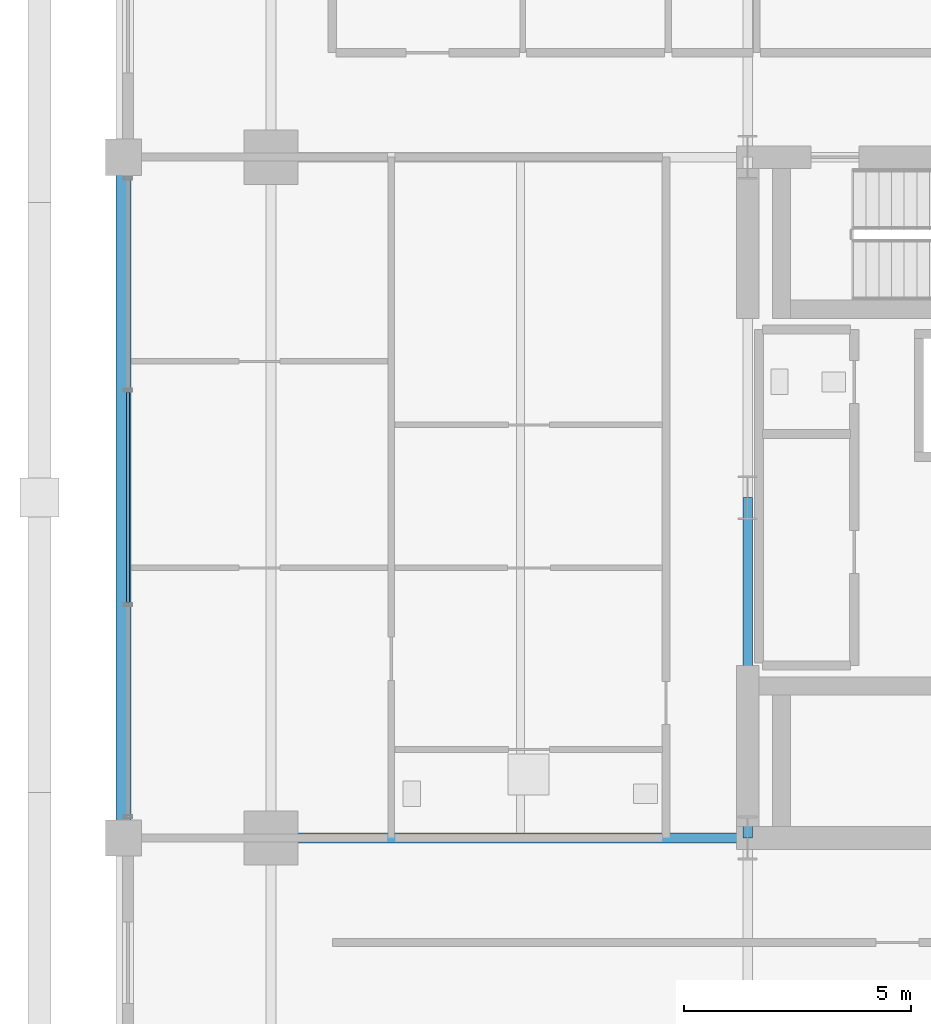
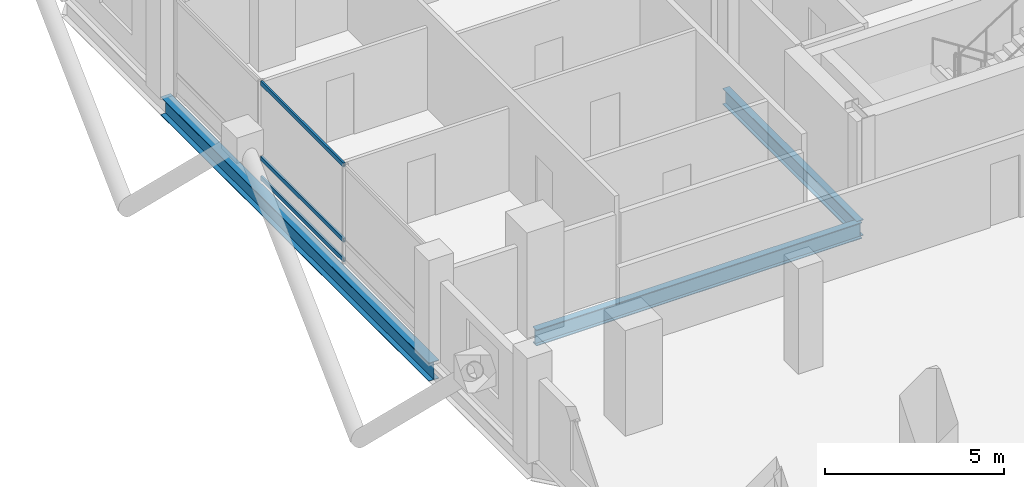
# One storey, part 5 of 22: 3 beams, 3 members, 1 element without a shape of its own.
"""IFC4 building model written with IfcOpenShell, lengths in metres."""

from ifc_helpers import new_model, si_unit, direction, frame, origin, origin_2d, place, context, subcontext, project, spatial, hollow_rectangle, i_section, extrude, material, layer, layer_set, material_profile, profile_set, type_object, element, aggregate, save


model = new_model("IFC4")

# Units and contexts
model_context = context("Model", 3, precision=1e-05, world=origin(), true_north=direction((0.0, 1.0)))
body_context = subcontext(model_context, "Body", "Model", "MODEL_VIEW")
ifc_project = project(units=[si_unit("LENGTHUNIT", "METRE"), si_unit("AREAUNIT", "SQUARE_METRE"), si_unit("VOLUMEUNIT", "CUBIC_METRE"), si_unit("PLANEANGLEUNIT", "RADIAN"), si_unit("MASSUNIT", "GRAM", prefix="KILO")], contexts=[model_context])

# Site, building, storey
site_placement = place(None, origin())
site = spatial("IfcSite", under=ifc_project, at=site_placement, CompositionType="ELEMENT")
building_placement = place(site_placement, origin())
building = spatial("IfcBuilding", under=site, at=building_placement, Name="Barlavira Tower and Art Museum", CompositionType="ELEMENT")
storey_placement = place(building_placement, frame((0.0, 0.0, 129.60009765625)))
storey = spatial("IfcBuildingStorey", under=building, at=storey_placement, Name="L32", CompositionType="ELEMENT", Elevation=129.60009765625)

# Curtain wall, members
ifc_material_1 = material(Name="Low-iron coastal laminated glass", Category="glass")
ifc_layer = layer(ifc_material_1, 0.18994140625, Name="Low-iron coastal laminated glass")
ifc_layer_set = layer_set([ifc_layer], Name="Low-iron coastal laminated glass")
curtain_wall_type = type_object("IfcCurtainWallType", Name="Pale-Metal Unitised Curtain Wall Zone 2", PredefinedType="NOTDEFINED", material=ifc_layer_set)
curtain_wall_placement = place(storey_placement, origin())
curtain_wall = element("IfcCurtainWall", 1, at=curtain_wall_placement, inside=storey, type_object=curtain_wall_type, Name="L32 Curtain Wall CW2-L32-W-B3", PredefinedType="NOTDEFINED")
ifc_material_2 = material(Name="Pale anodised aluminium", Category="aluminium")
ifc_material_profile_1 = material_profile(ifc_material_2, hollow_rectangle(XDim=0.06494140625, YDim=0.139892578125, WallThickness=0.00390625, at=origin_2d()), Name="ALU-TRAN 65x140x4")
ifc_profile_set_1 = profile_set([ifc_material_profile_1], Name="Pale anodised aluminium")
member_type = type_object("IfcMemberType", Name="Curtain Wall Pale-Metal Transom 65x140", PredefinedType="USERDEFINED", material=ifc_profile_set_1)
member_1_placement = place(storey_placement, frame((-20.14990234375, 2.31494140625, 0.06982421875), z_axis=(0.0, -1.0, 0.0), x_axis=(1.0, 0.0, 0.0)))
member_1 = element("IfcMember", 2, at=member_1_placement, type_object=member_type, Name="CW2-L32-W-B3 Transom 1.1", ObjectType="TRANSOM", PredefinedType="USERDEFINED", context=body_context, shape_type="SweptSolid", body=[
    extrude(hollow_rectangle(XDim=0.06494140625, YDim=0.139892578125, WallThickness=0.00390625, at=origin_2d()), origin(), (0.0, 0.0, 1.0), 4.6298828125),
])
member_2_placement = place(storey_placement, frame((-20.14990234375, 2.31494140625, 0.743896484375), z_axis=(0.0, -1.0, 0.0), x_axis=(1.0, 0.0, 0.0)))
member_2 = element("IfcMember", 3, at=member_2_placement, type_object=member_type, Name="CW2-L32-W-B3 Transom 1.2", ObjectType="TRANSOM", PredefinedType="USERDEFINED", context=body_context, shape_type="SweptSolid", body=[
    extrude(hollow_rectangle(XDim=0.06494140625, YDim=0.139892578125, WallThickness=0.00390625, at=origin_2d()), origin(), (0.0, 0.0, 1.0), 4.6298828125),
])
member_3_placement = place(storey_placement, frame((-20.14990234375, 2.31494140625, 3.309814453125), z_axis=(0.0, -1.0, 0.0), x_axis=(1.0, 0.0, 0.0)))
member_3 = element("IfcMember", 4, at=member_3_placement, type_object=member_type, Name="CW2-L32-W-B3 Transom 1.3", ObjectType="TRANSOM", PredefinedType="USERDEFINED", context=body_context, shape_type="SweptSolid", body=[
    extrude(hollow_rectangle(XDim=0.06494140625, YDim=0.139892578125, WallThickness=0.00390625, at=origin_2d()), origin(), (0.0, 0.0, 1.0), 4.6298828125),
])
aggregate(curtain_wall, [member_1, member_2, member_3])

# Beams
ifc_material_3 = material(Name="Steel S355", Category="steel")
ifc_material_profile_2 = material_profile(ifc_material_3, i_section(OverallWidth=0.327880859375, OverallDepth=0.62890625, WebThickness=0.013916015625, FlangeThickness=0.021484375, at=origin_2d()), Name="W610x174.0")
ifc_profile_set_2 = profile_set([ifc_material_profile_2], Name="Steel S355")
beam_type_1 = type_object("IfcBeamType", Name="Perimeter Spandrel Edge Beam W610x174 Steel S355", PredefinedType="SPANDREL", material=ifc_profile_set_2)
beam_1_placement = place(storey_placement, frame((-20.25, -7.5, -0.53466796875), z_axis=(0.0, 1.0, 0.0), x_axis=(-1.0, 0.0, 0.0)))
element("IfcBeam", 5, at=beam_1_placement, inside=storey, type_object=beam_type_1, Name="L32 Spandrel 14", PredefinedType="SPANDREL", context=body_context, shape_type="SweptSolid", body=[
    extrude(i_section(OverallWidth=0.327880859375, OverallDepth=0.62890625, WebThickness=0.013916015625, FlangeThickness=0.021484375, at=origin_2d()), origin(), (0.0, 0.0, 1.0), 15.0),
])
ifc_material_profile_3 = material_profile(ifc_material_3, i_section(OverallWidth=0.214111328125, OverallDepth=0.549072265625, WebThickness=0.0146484375, FlangeThickness=0.023681640625, at=origin_2d()), Name="W530x138.0")
ifc_profile_set_3 = profile_set([ifc_material_profile_3], Name="Steel S355")
beam_type_2 = type_object("IfcBeamType", Name="Zone 1 Primary Floor Girder W530x138 Steel S355", PredefinedType="BEAM", material=ifc_profile_set_3)
beam_2_placement = place(storey_placement, frame((-6.5, -7.5, -0.49462890625), z_axis=(0.0, 1.0, 0.0), x_axis=(-1.0, 0.0, 0.0)))
element("IfcBeam", 6, at=beam_2_placement, inside=storey, type_object=beam_type_2, Name="L32 Girder C-W1", PredefinedType="BEAM", context=body_context, shape_type="SweptSolid", body=[
    extrude(i_section(OverallWidth=0.214111328125, OverallDepth=0.549072265625, WebThickness=0.0146484375, FlangeThickness=0.023681640625, at=origin_2d()), origin(), (0.0, 0.0, 1.0), 7.5),
])
beam_3_placement = place(storey_placement, frame((-17.0, -7.5, -0.49462890625), z_axis=(1.0, 0.0, 0.0), x_axis=(0.0, 1.0, 0.0)))
element("IfcBeam", 7, at=beam_3_placement, inside=storey, type_object=beam_type_2, Name="L32 Girder R-W1", PredefinedType="BEAM", context=body_context, shape_type="SweptSolid", body=[
    extrude(i_section(OverallWidth=0.214111328125, OverallDepth=0.549072265625, WebThickness=0.0146484375, FlangeThickness=0.023681640625, at=origin_2d()), origin(), (0.0, 0.0, 1.0), 10.5),
])

save(model, "model.ifc")
